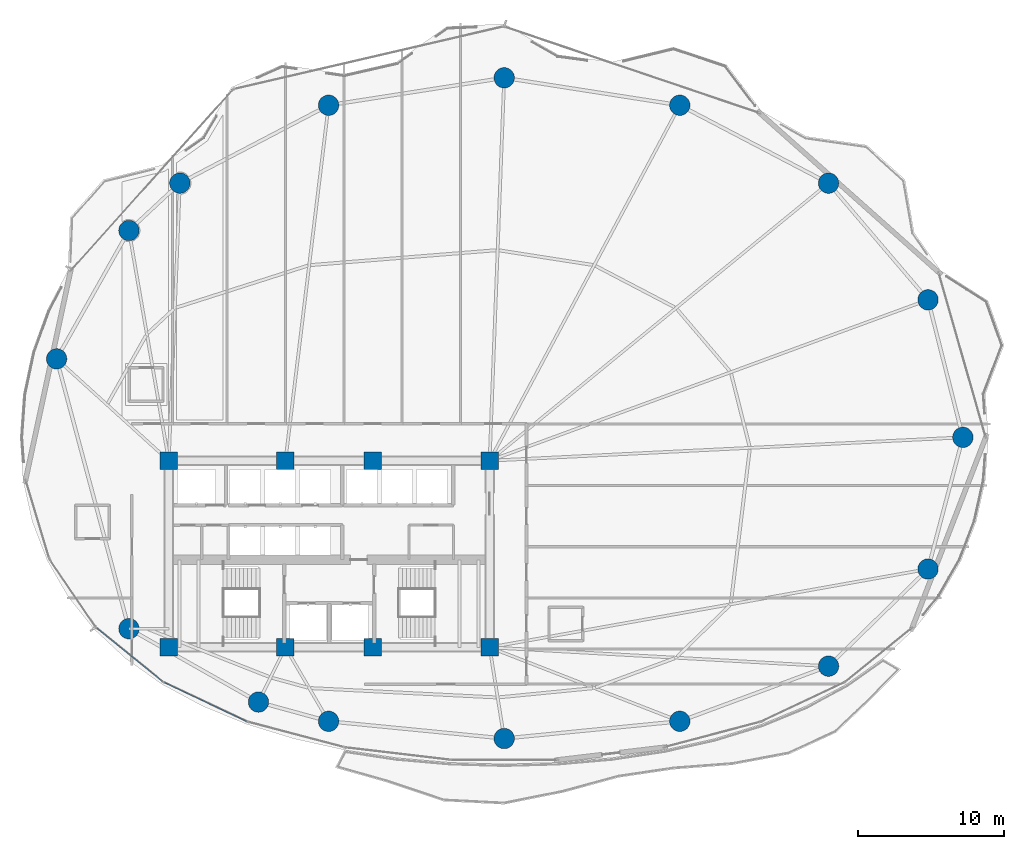
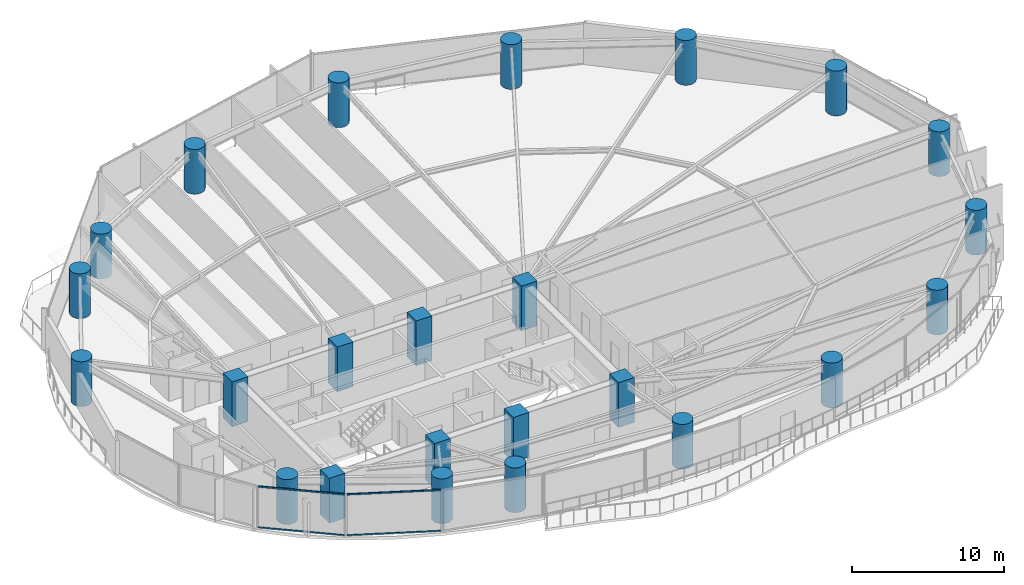
# One storey, part 1 of 31: 24 columns, 4 members, 2 elements without a shape of their own.
"""IFC4 building model written with IfcOpenShell, lengths in metres."""

from ifc_helpers import new_model, si_unit, direction, frame, origin, origin_2d, place, context, subcontext, project, spatial, rectangle, hollow_rectangle, circle, extrude, material, layer, layer_set, material_profile, profile_set, type_object, element, aggregate, save


model = new_model("IFC4")

# Units and contexts
model_context = context("Model", 3, precision=1e-05, world=origin(), true_north=direction((0.0, 1.0)))
body_context = subcontext(model_context, "Body", "Model", "MODEL_VIEW")
ifc_project = project(units=[si_unit("LENGTHUNIT", "METRE"), si_unit("AREAUNIT", "SQUARE_METRE"), si_unit("VOLUMEUNIT", "CUBIC_METRE"), si_unit("PLANEANGLEUNIT", "RADIAN"), si_unit("MASSUNIT", "GRAM", prefix="KILO")], contexts=[model_context])

# Site, building, storey
site_placement = place(None, origin())
site = spatial("IfcSite", under=ifc_project, at=site_placement, CompositionType="ELEMENT")
building_placement = place(site_placement, origin())
building = spatial("IfcBuilding", under=site, at=building_placement, Name="Kazevale Care Tower and Concert Hall", CompositionType="ELEMENT")
storey_placement = place(building_placement, frame((0.0, 0.0, 81.60009765625)))
storey = spatial("IfcBuildingStorey", under=building, at=storey_placement, Name="L21", CompositionType="ELEMENT", Elevation=81.60009765625)

# Columns
ifc_material_1 = material(Name="Concrete C70", Category="concrete")
ifc_material_profile_1 = material_profile(ifc_material_1, rectangle(XDim=1.199951171875, YDim=1.199951171875, at=origin_2d()), Name="RC-SQ1200")
ifc_profile_set_1 = profile_set([ifc_material_profile_1], Name="Concrete C70")
column_type_1 = type_object("IfcColumnType", Name="Core Column SQ1200 C70", PredefinedType="COLUMN", material=ifc_profile_set_1)
for number, where, z_axis, x_axis, name in (
    (1, (22.0, 23.60009765625, 0.0), (0.0, 0.0, 1.0), (1.0, 0.0, 0.0), "col:L21:CC-01"),
    (2, (30.0, 23.60009765625, 0.0), (0.0, 0.0, 1.0), (1.0, 0.0, 0.0), "col:L21:CC-02"),
    (3, (36.0, 23.60009765625, 0.0), (0.0, 0.0, 1.0), (1.0, 0.0, 0.0), "col:L21:CC-03"),
    (4, (44.0, 23.60009765625, 0.0), (0.0, 0.0, 1.0), (1.0, 0.0, 0.0), "col:L21:CC-04"),
    (5, (44.0, 36.39990234375, 0.0), (0.0, 0.0, 1.0), (1.0, 0.0, 0.0), "col:L21:CC-05"),
    (6, (36.0, 36.39990234375, 0.0), (0.0, 0.0, 1.0), (1.0, 0.0, 0.0), "col:L21:CC-06"),
    (7, (30.0, 36.39990234375, 0.0), (0.0, 0.0, 1.0), (1.0, 0.0, 0.0), "col:L21:CC-07"),
    (8, (22.0, 36.39990234375, 0.0), (0.0, 0.0, 1.0), (1.0, 0.0, 0.0), "col:L21:CC-08"),
):
    element("IfcColumn", number, at=place(storey_placement, frame(where, z_axis=z_axis, x_axis=x_axis)), inside=storey, type_object=column_type_1, Name=name, PredefinedType="COLUMN", context=body_context, shape_type="SweptSolid", body=[
        extrude(rectangle(XDim=1.199951171875, YDim=1.199951171875, at=origin_2d()), origin(), (0.0, 0.0, 1.0), 3.599853515625),
    ])
ifc_material_profile_2 = material_profile(ifc_material_1, circle(Radius=0.699951171875, at=origin_2d()), Name="RC-CIR1400")
ifc_profile_set_2 = profile_set([ifc_material_profile_2], Name="Concrete C70")
column_type_2 = type_object("IfcColumnType", Name="Perimeter Column CIR1400 C70", PredefinedType="COLUMN", material=ifc_profile_set_2)
for number, where, z_axis, x_axis, name in (
    (9, (76.449951171875, 38.0, 0.0), (0.0, 0.0, 1.0), (1.0, 0.0, 0.0), "col:L21:PC-01"),
    (10, (74.06005859375, 47.429931640625, 0.0), (0.0, 0.0, 1.0), (1.0, 0.0, 0.0), "col:L21:PC-02"),
    (11, (67.239990234375, 55.429931640625, 0.0), (0.0, 0.0, 1.0), (1.0, 0.0, 0.0), "col:L21:PC-03"),
    (12, (57.0400390625, 60.77001953125, 0.0), (0.0, 0.0, 1.0), (1.0, 0.0, 0.0), "col:L21:PC-04"),
    (13, (45.0, 62.64990234375, 0.0), (0.0, 0.0, 1.0), (1.0, 0.0, 0.0), "col:L21:PC-05"),
    (14, (32.9599609375, 60.77001953125, 0.0), (0.0, 0.0, 1.0), (1.0, 0.0, 0.0), "col:L21:PC-06"),
    (15, (22.760009765625, 55.429931640625, 0.0), (0.0, 0.0, 1.0), (1.0, 0.0, 0.0), "col:L21:PC-07"),
    (16, (19.27001953125, 52.179931640625, 0.0), (0.0, 0.0, 1.0), (1.0, 0.0, 0.0), "col:L21:PC-08"),
    (17, (14.31005859375, 43.3798828125, 0.0), (0.0, 0.0, 1.0), (1.0, 0.0, 0.0), "col:L21:PC-09"),
    (18, (19.27001953125, 24.8798828125, 0.0), (0.0, 0.0, 1.0), (1.0, 0.0, 0.0), "col:L21:PC-10"),
    (19, (28.14990234375, 19.85009765625, 0.0), (0.0, 0.0, 1.0), (1.0, 0.0, 0.0), "col:L21:PC-11"),
    (20, (32.9599609375, 18.530029296875, 0.0), (0.0, 0.0, 1.0), (1.0, 0.0, 0.0), "col:L21:PC-12"),
    (21, (45.0, 17.35009765625, 0.0), (0.0, 0.0, 1.0), (1.0, 0.0, 0.0), "col:L21:PC-13"),
    (22, (57.0400390625, 18.530029296875, 0.0), (0.0, 0.0, 1.0), (1.0, 0.0, 0.0), "col:L21:PC-14"),
    (23, (67.239990234375, 22.31005859375, 0.0), (0.0, 0.0, 1.0), (1.0, 0.0, 0.0), "col:L21:PC-15"),
    (24, (74.06005859375, 28.969970703125, 0.0), (0.0, 0.0, 1.0), (1.0, 0.0, 0.0), "col:L21:PC-16"),
):
    element("IfcColumn", number, at=place(storey_placement, frame(where, z_axis=z_axis, x_axis=x_axis)), inside=storey, type_object=column_type_2, Name=name, PredefinedType="COLUMN", context=body_context, shape_type="SweptSolid", body=[
        extrude(circle(Radius=0.699951171875, at=origin_2d()), origin(), (0.0, 0.0, 1.0), 3.599853515625),
    ])

# Curtain wall, members
ifc_material_2 = material(Name="Aluminium 6063-T6 and Low-E Glass", Category="aluminium")
ifc_layer = layer(ifc_material_2, 0.179931640625)
ifc_layer_set = layer_set([ifc_layer], Name="Aluminium 6063-T6 and Low-E Glass")
curtain_wall_type = type_object("IfcCurtainWallType", Name="Sheltered Concave Balcony Curtain Wall CW-5", PredefinedType="NOTDEFINED", material=ifc_layer_set)
curtain_wall_1_placement = place(storey_placement, origin())
curtain_wall_1 = element("IfcCurtainWall", 25, at=curtain_wall_1_placement, inside=storey, type_object=curtain_wall_type, Name="cw:L21:f09", PredefinedType="NOTDEFINED")
ifc_material_3 = material(Name="Aluminium 6063-T6", Category="aluminium")
ifc_material_profile_3 = material_profile(ifc_material_3, hollow_rectangle(XDim=0.074951171875, YDim=0.1201171875, WallThickness=0.00390625, at=origin_2d()), Name="ALU75x120x4")
ifc_profile_set_3 = profile_set([ifc_material_profile_3], Name="Aluminium 6063-T6")
member_type = type_object("IfcMemberType", Name="CW-5 Transom ALU75x120x4", PredefinedType="USERDEFINED", material=ifc_profile_set_3)
member_1_placement = place(storey_placement, frame((27.3291015625, 18.531005859375, 0.037353515625), z_axis=(-0.904271726847, 0.426957426479, 0.0), x_axis=(-0.426957426479, -0.904271726847, 0.0)))
member_1 = element("IfcMember", 26, at=member_1_placement, type_object=member_type, Name="CW-5 transom 1.1", ObjectType="TRANSOM", PredefinedType="USERDEFINED", context=body_context, shape_type="SweptSolid", body=[
    extrude(hollow_rectangle(XDim=0.074951171875, YDim=0.1201171875, WallThickness=0.00390625, at=origin_2d()), origin(), (0.0, 0.0, 1.0), 6.23974609375),
])
member_2_placement = place(storey_placement, frame((27.3291015625, 18.531005859375, 3.322509765625), z_axis=(-0.904271726847, 0.426957426479, 0.0), x_axis=(-0.426957426479, -0.904271726847, 0.0)))
member_2 = element("IfcMember", 27, at=member_2_placement, type_object=member_type, Name="CW-5 transom 1.2", ObjectType="TRANSOM", PredefinedType="USERDEFINED", context=body_context, shape_type="SweptSolid", body=[
    extrude(hollow_rectangle(XDim=0.074951171875, YDim=0.1201171875, WallThickness=0.00390625, at=origin_2d()), origin(), (0.0, 0.0, 1.0), 6.23974609375),
])
aggregate(curtain_wall_1, [member_1, member_2])

curtain_wall_2_placement = place(storey_placement, origin())
curtain_wall_2 = element("IfcCurtainWall", 28, at=curtain_wall_2_placement, inside=storey, type_object=curtain_wall_type, Name="cw:L21:f10", PredefinedType="NOTDEFINED")
member_3_placement = place(storey_placement, frame((21.560791015625, 21.274169921875, 0.037353515625), z_axis=(-0.77659518273, 0.629999938223, 0.0), x_axis=(-0.629999938223, -0.77659518273, 0.0)))
member_3 = element("IfcMember", 29, at=member_3_placement, type_object=member_type, Name="CW-5 transom 1.1", ObjectType="TRANSOM", PredefinedType="USERDEFINED", context=body_context, shape_type="SweptSolid", body=[
    extrude(hollow_rectangle(XDim=0.074951171875, YDim=0.1201171875, WallThickness=0.00390625, at=origin_2d()), origin(), (0.0, 0.0, 1.0), 5.770751953125),
])
member_4_placement = place(storey_placement, frame((21.560791015625, 21.274169921875, 3.322509765625), z_axis=(-0.77659518273, 0.629999938223, 0.0), x_axis=(-0.629999938223, -0.77659518273, 0.0)))
member_4 = element("IfcMember", 30, at=member_4_placement, type_object=member_type, Name="CW-5 transom 1.2", ObjectType="TRANSOM", PredefinedType="USERDEFINED", context=body_context, shape_type="SweptSolid", body=[
    extrude(hollow_rectangle(XDim=0.074951171875, YDim=0.1201171875, WallThickness=0.00390625, at=origin_2d()), origin(), (0.0, 0.0, 1.0), 5.770751953125),
])
aggregate(curtain_wall_2, [member_3, member_4])

save(model, "model.ifc")
